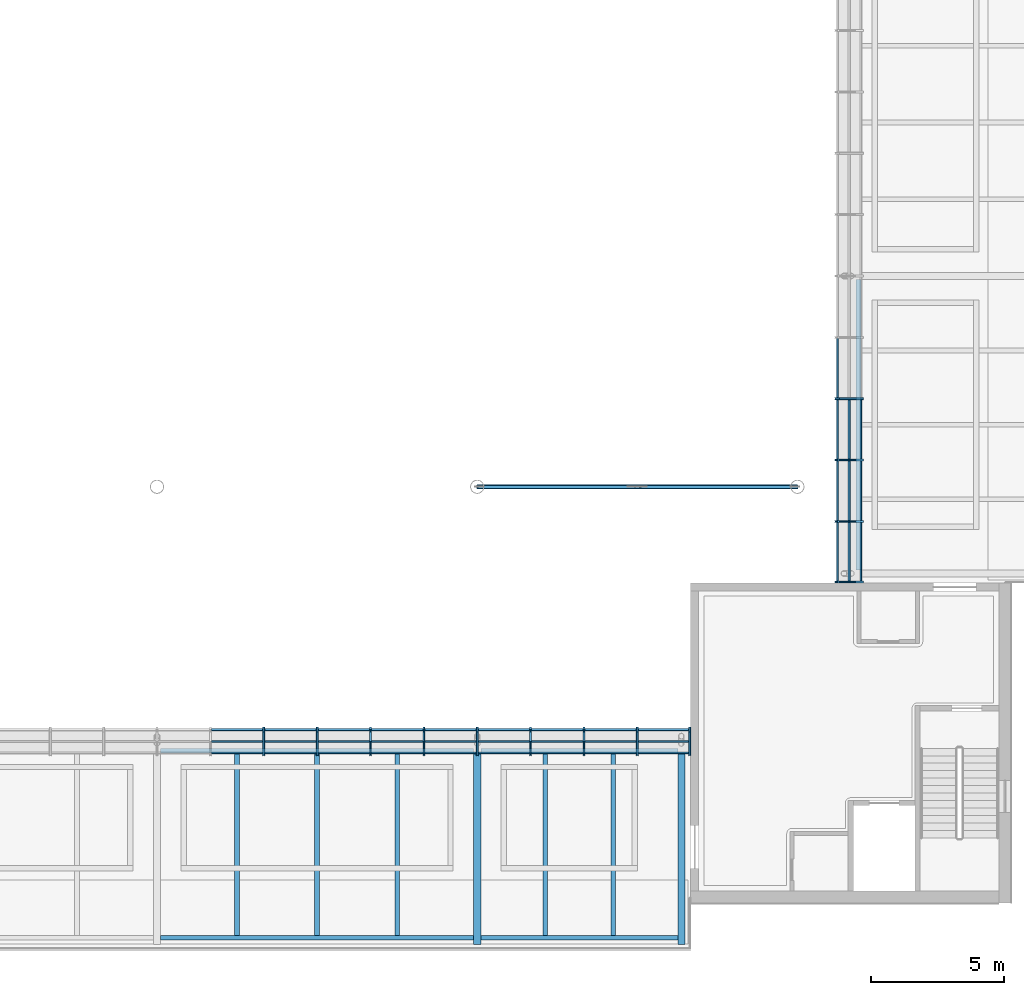
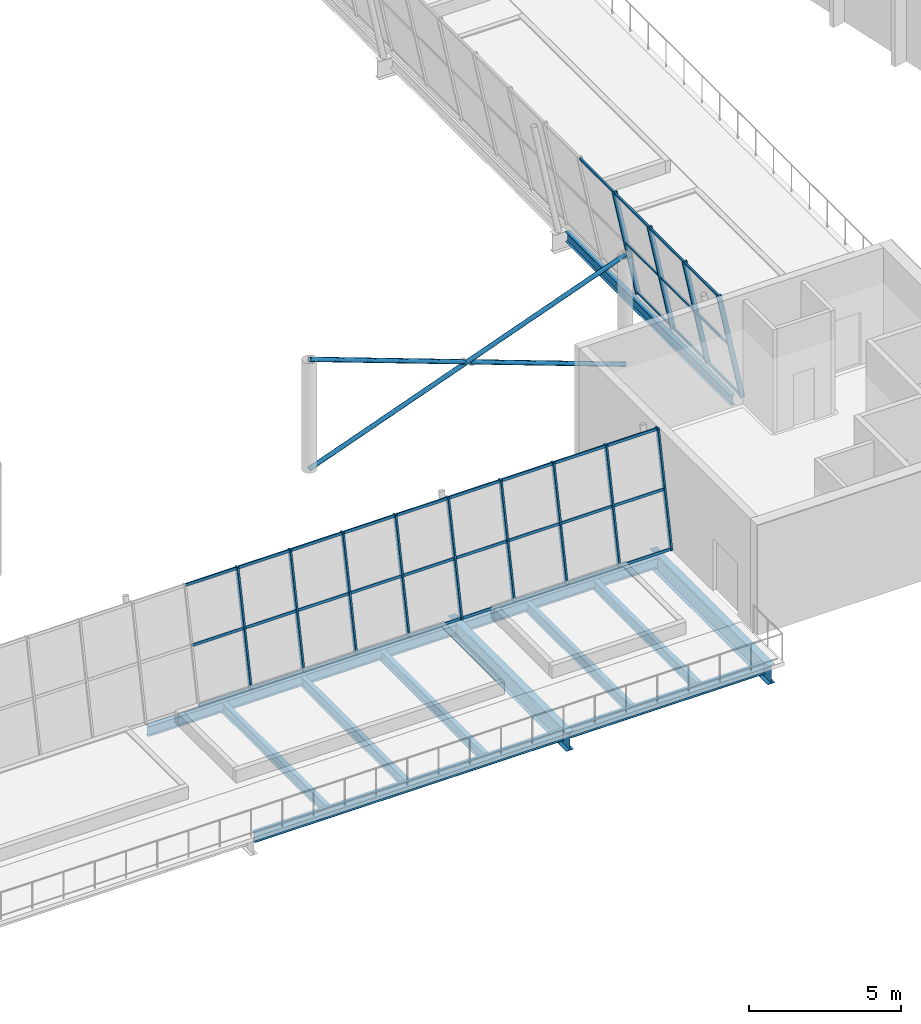
# One storey, part 14 of 58: 53 members, 12 beams, 2 elements without a shape of their own.
"""IFC4 building model written with IfcOpenShell, lengths in metres."""

from ifc_helpers import new_model, si_unit, direction, frame, origin, origin_2d, place, context, subcontext, project, spatial, rectangle, hollow_circle, i_section, extrude, material, layer, layer_set, material_profile, profile_set, type_object, element, aggregate, save


model = new_model("IFC4")

# Units and contexts
model_context = context("Model", 3, precision=1e-05, world=origin(), true_north=direction((0.0, 1.0)))
body_context = subcontext(model_context, "Body", "Model", "MODEL_VIEW")
ifc_project = project(units=[si_unit("LENGTHUNIT", "METRE"), si_unit("AREAUNIT", "SQUARE_METRE"), si_unit("VOLUMEUNIT", "CUBIC_METRE"), si_unit("PLANEANGLEUNIT", "RADIAN"), si_unit("MASSUNIT", "GRAM", prefix="KILO")], contexts=[model_context])

# Site, building, storey
site_placement = place(None, origin())
site = spatial("IfcSite", under=ifc_project, at=site_placement, CompositionType="ELEMENT")
building_placement = place(site_placement, origin())
building = spatial("IfcBuilding", under=site, at=building_placement, Name="Windward Yard Aquatics Centre", CompositionType="ELEMENT")
storey_placement = place(building_placement, frame((0.0, 0.0, 13.800048828125)))
storey = spatial("IfcBuildingStorey", under=building, at=storey_placement, Name="L03", CompositionType="ELEMENT", Elevation=13.800048828125)

# Curtain wall, members
ifc_material_1 = material(Name="Glass and aluminium curtain wall", Category="aluminium")
ifc_layer = layer(ifc_material_1, 0.179931640625)
ifc_layer_set = layer_set([ifc_layer], Name="H curtain wall tier 2 double glazed 6+16+6")
curtain_wall_type = type_object("IfcCurtainWallType", Name="H curtain wall tier 2 double glazed 6+16+6", PredefinedType="NOTDEFINED", material=ifc_layer_set)
curtain_wall_1_placement = place(storey_placement, origin())
curtain_wall_1 = element("IfcCurtainWall", 1, at=curtain_wall_1_placement, inside=storey, type_object=curtain_wall_type, Name="Tier 2 glazing S L03", PredefinedType="NOTDEFINED")
ifc_material_2 = material(Name="Aluminium 6063-T6 anodised", Category="aluminium")
ifc_material_profile_1 = material_profile(ifc_material_2, rectangle(XDim=0.06494140625, YDim=0.179931640625, at=origin_2d()), Name="H CW mullion 65x180")
ifc_profile_set_1 = profile_set([ifc_material_profile_1], Name="Aluminium 6063-T6 anodised")
member_type_1 = type_object("IfcMemberType", Name="H CW mullion 65x180", PredefinedType="MULLION", material=ifc_profile_set_1)
member_1_placement = place(storey_placement, frame((124.002197265625, 31.61376953125, 0.017822265625), z_axis=(0.0, 0.199327811945, 0.979932866775), x_axis=(-1.0, 0.0, 0.0)))
member_1 = element("IfcMember", 2, at=member_1_placement, type_object=member_type_1, Name="G2SB mullion 12", PredefinedType="MULLION", context=body_context, shape_type="SweptSolid", body=[
    extrude(rectangle(XDim=0.06494140625, YDim=0.179931640625, at=origin_2d()), origin(), (0.0, 0.0, 1.0), 4.471923828125),
])
member_2_placement = place(storey_placement, frame((126.001953125, 31.61376953125, 0.017822265625), z_axis=(0.0, 0.199327811945, 0.979932866775), x_axis=(-1.0, 0.0, 0.0)))
member_2 = element("IfcMember", 3, at=member_2_placement, type_object=member_type_1, Name="G2SB mullion 13", PredefinedType="MULLION", context=body_context, shape_type="SweptSolid", body=[
    extrude(rectangle(XDim=0.06494140625, YDim=0.179931640625, at=origin_2d()), origin(), (0.0, 0.0, 1.0), 4.471923828125),
])
member_3_placement = place(storey_placement, frame((128.00146484375, 31.61376953125, 0.017822265625), z_axis=(0.0, 0.199327811945, 0.979932866775), x_axis=(-1.0, 0.0, 0.0)))
member_3 = element("IfcMember", 4, at=member_3_placement, type_object=member_type_1, Name="G2SB mullion 14", PredefinedType="MULLION", context=body_context, shape_type="SweptSolid", body=[
    extrude(rectangle(XDim=0.06494140625, YDim=0.179931640625, at=origin_2d()), origin(), (0.0, 0.0, 1.0), 4.471923828125),
])
member_4_placement = place(storey_placement, frame((130.001220703125, 31.61376953125, 0.017822265625), z_axis=(0.0, 0.199327811945, 0.979932866775), x_axis=(-1.0, 0.0, 0.0)))
member_4 = element("IfcMember", 5, at=member_4_placement, type_object=member_type_1, Name="G2SB mullion 15", PredefinedType="MULLION", context=body_context, shape_type="SweptSolid", body=[
    extrude(rectangle(XDim=0.06494140625, YDim=0.179931640625, at=origin_2d()), origin(), (0.0, 0.0, 1.0), 4.471923828125),
])
member_5_placement = place(storey_placement, frame((132.0009765625, 31.61376953125, 0.017822265625), z_axis=(0.0, 0.199327811945, 0.979932866775), x_axis=(-1.0, 0.0, 0.0)))
member_5 = element("IfcMember", 6, at=member_5_placement, type_object=member_type_1, Name="G2SB mullion 16", PredefinedType="MULLION", context=body_context, shape_type="SweptSolid", body=[
    extrude(rectangle(XDim=0.06494140625, YDim=0.179931640625, at=origin_2d()), origin(), (0.0, 0.0, 1.0), 4.471923828125),
])
member_6_placement = place(storey_placement, frame((134.000732421875, 31.61376953125, 0.017822265625), z_axis=(0.0, 0.199327811945, 0.979932866775), x_axis=(-1.0, 0.0, 0.0)))
member_6 = element("IfcMember", 7, at=member_6_placement, type_object=member_type_1, Name="G2SB mullion 17", PredefinedType="MULLION", context=body_context, shape_type="SweptSolid", body=[
    extrude(rectangle(XDim=0.06494140625, YDim=0.179931640625, at=origin_2d()), origin(), (0.0, 0.0, 1.0), 4.471923828125),
])
member_7_placement = place(storey_placement, frame((136.00048828125, 31.61376953125, 0.017822265625), z_axis=(0.0, 0.199327811945, 0.979932866775), x_axis=(-1.0, 0.0, 0.0)))
member_7 = element("IfcMember", 8, at=member_7_placement, type_object=member_type_1, Name="G2SB mullion 18", PredefinedType="MULLION", context=body_context, shape_type="SweptSolid", body=[
    extrude(rectangle(XDim=0.06494140625, YDim=0.179931640625, at=origin_2d()), origin(), (0.0, 0.0, 1.0), 4.471923828125),
])
member_8_placement = place(storey_placement, frame((138.000244140625, 31.61376953125, 0.017822265625), z_axis=(0.0, 0.199327811945, 0.979932866775), x_axis=(-1.0, 0.0, 0.0)))
member_8 = element("IfcMember", 9, at=member_8_placement, type_object=member_type_1, Name="G2SB mullion 19", PredefinedType="MULLION", context=body_context, shape_type="SweptSolid", body=[
    extrude(rectangle(XDim=0.06494140625, YDim=0.179931640625, at=origin_2d()), origin(), (0.0, 0.0, 1.0), 4.471923828125),
])
member_9_placement = place(storey_placement, frame((139.967529296875, 31.61376953125, 0.017822265625), z_axis=(0.0, 0.199327811945, 0.979932866775), x_axis=(-1.0, 0.0, 0.0)))
member_9 = element("IfcMember", 10, at=member_9_placement, type_object=member_type_1, Name="G2SB mullion 20", PredefinedType="MULLION", context=body_context, shape_type="SweptSolid", body=[
    extrude(rectangle(XDim=0.06494140625, YDim=0.179931640625, at=origin_2d()), origin(), (0.0, 0.0, 1.0), 4.471923828125),
])

curtain_wall_2_placement = place(storey_placement, origin())
curtain_wall_2 = element("IfcCurtainWall", 11, at=curtain_wall_2_placement, inside=storey, type_object=curtain_wall_type, Name="Tier 2 glazing E L03", PredefinedType="NOTDEFINED")
member_10_placement = place(storey_placement, frame((146.38623046875, 38.032470703125, 0.017822265625), z_axis=(-0.199327811945, 0.0, 0.979932866775), x_axis=(0.0, -1.0, 0.0)))
member_10 = element("IfcMember", 12, at=member_10_placement, type_object=member_type_1, Name="G2EA mullion 1", PredefinedType="MULLION", context=body_context, shape_type="SweptSolid", body=[
    extrude(rectangle(XDim=0.06494140625, YDim=0.179931640625, at=origin_2d()), origin(), (0.0, 0.0, 1.0), 4.471923828125),
])
member_11_placement = place(storey_placement, frame((146.38623046875, 40.300048828125, 0.017822265625), z_axis=(-0.199327811945, 0.0, 0.979932866775), x_axis=(0.0, -1.0, 0.0)))
member_11 = element("IfcMember", 13, at=member_11_placement, type_object=member_type_1, Name="G2EA mullion 2", PredefinedType="MULLION", context=body_context, shape_type="SweptSolid", body=[
    extrude(rectangle(XDim=0.06494140625, YDim=0.179931640625, at=origin_2d()), origin(), (0.0, 0.0, 1.0), 4.471923828125),
])
member_12_placement = place(storey_placement, frame((146.38623046875, 42.60009765625, 0.017822265625), z_axis=(-0.199327811945, 0.0, 0.979932866775), x_axis=(0.0, -1.0, 0.0)))
member_12 = element("IfcMember", 14, at=member_12_placement, type_object=member_type_1, Name="G2EA mullion 3", PredefinedType="MULLION", context=body_context, shape_type="SweptSolid", body=[
    extrude(rectangle(XDim=0.06494140625, YDim=0.179931640625, at=origin_2d()), origin(), (0.0, 0.0, 1.0), 4.471923828125),
])
member_13_placement = place(storey_placement, frame((146.38623046875, 44.89990234375, 0.017822265625), z_axis=(-0.199327811945, 0.0, 0.979932866775), x_axis=(0.0, -1.0, 0.0)))
member_13 = element("IfcMember", 15, at=member_13_placement, type_object=member_type_1, Name="G2EA mullion 4", PredefinedType="MULLION", context=body_context, shape_type="SweptSolid", body=[
    extrude(rectangle(XDim=0.06494140625, YDim=0.179931640625, at=origin_2d()), origin(), (0.0, 0.0, 1.0), 4.471923828125),
])

# Member
ifc_material_profile_2 = material_profile(ifc_material_2, rectangle(XDim=0.06494140625, YDim=0.10009765625, at=origin_2d()), Name="H CW transom 65x100")
ifc_profile_set_2 = profile_set([ifc_material_profile_2], Name="Aluminium 6063-T6 anodised")
member_type_2 = type_object("IfcMemberType", Name="H CW transom 65x100", PredefinedType="USERDEFINED", material=ifc_profile_set_2)
member_14_placement = place(storey_placement, frame((122.034912109375, 31.621337890625, 0.055419921875), z_axis=(1.0, 0.0, 0.0), x_axis=(0.0, -0.979924704642, 0.199367934315)))
member_14 = element("IfcMember", 16, at=member_14_placement, type_object=member_type_2, Name="G2SB transom 11.1", ObjectType="TRANSOM", PredefinedType="USERDEFINED", context=body_context, shape_type="SweptSolid", body=[
    extrude(rectangle(XDim=0.06494140625, YDim=0.10009765625, at=origin_2d()), origin(), (0.0, 0.0, 1.0), 1.934814453125),
])

member_15_placement = place(storey_placement, frame((122.034912109375, 32.0576171875, 2.199951171875), z_axis=(1.0, 0.0, 0.0), x_axis=(0.0, -0.979924704642, 0.199367934315)))
member_15 = element("IfcMember", 17, at=member_15_placement, type_object=member_type_2, Name="G2SB transom 11.2", ObjectType="TRANSOM", PredefinedType="USERDEFINED", context=body_context, shape_type="SweptSolid", body=[
    extrude(rectangle(XDim=0.06494140625, YDim=0.10009765625, at=origin_2d()), origin(), (0.0, 0.0, 1.0), 1.934814453125),
])

member_16_placement = place(storey_placement, frame((122.034912109375, 32.4951171875, 4.35107421875), z_axis=(1.0, 0.0, 0.0), x_axis=(0.0, -0.979924704642, 0.199367934315)))
member_16 = element("IfcMember", 18, at=member_16_placement, type_object=member_type_2, Name="G2SB transom 11.3", ObjectType="TRANSOM", PredefinedType="USERDEFINED", context=body_context, shape_type="SweptSolid", body=[
    extrude(rectangle(XDim=0.06494140625, YDim=0.10009765625, at=origin_2d()), origin(), (0.0, 0.0, 1.0), 1.934814453125),
])

member_17_placement = place(storey_placement, frame((124.03466796875, 31.621337890625, 0.055419921875), z_axis=(1.0, 0.0, 0.0), x_axis=(0.0, -0.979924704642, 0.199367934315)))
member_17 = element("IfcMember", 19, at=member_17_placement, type_object=member_type_2, Name="G2SB transom 12.1", ObjectType="TRANSOM", PredefinedType="USERDEFINED", context=body_context, shape_type="SweptSolid", body=[
    extrude(rectangle(XDim=0.06494140625, YDim=0.10009765625, at=origin_2d()), origin(), (0.0, 0.0, 1.0), 1.9345703125),
])

member_18_placement = place(storey_placement, frame((124.03466796875, 32.0576171875, 2.199951171875), z_axis=(1.0, 0.0, 0.0), x_axis=(0.0, -0.979924704642, 0.199367934315)))
member_18 = element("IfcMember", 20, at=member_18_placement, type_object=member_type_2, Name="G2SB transom 12.2", ObjectType="TRANSOM", PredefinedType="USERDEFINED", context=body_context, shape_type="SweptSolid", body=[
    extrude(rectangle(XDim=0.06494140625, YDim=0.10009765625, at=origin_2d()), origin(), (0.0, 0.0, 1.0), 1.9345703125),
])

member_19_placement = place(storey_placement, frame((124.03466796875, 32.4951171875, 4.35107421875), z_axis=(1.0, 0.0, 0.0), x_axis=(0.0, -0.979924704642, 0.199367934315)))
member_19 = element("IfcMember", 21, at=member_19_placement, type_object=member_type_2, Name="G2SB transom 12.3", ObjectType="TRANSOM", PredefinedType="USERDEFINED", context=body_context, shape_type="SweptSolid", body=[
    extrude(rectangle(XDim=0.06494140625, YDim=0.10009765625, at=origin_2d()), origin(), (0.0, 0.0, 1.0), 1.9345703125),
])

member_20_placement = place(storey_placement, frame((126.034423828125, 31.621337890625, 0.055419921875), z_axis=(1.0, 0.0, 0.0), x_axis=(0.0, -0.979924704642, 0.199367934315)))
member_20 = element("IfcMember", 22, at=member_20_placement, type_object=member_type_2, Name="G2SB transom 13.1", ObjectType="TRANSOM", PredefinedType="USERDEFINED", context=body_context, shape_type="SweptSolid", body=[
    extrude(rectangle(XDim=0.06494140625, YDim=0.10009765625, at=origin_2d()), origin(), (0.0, 0.0, 1.0), 1.9345703125),
])

member_21_placement = place(storey_placement, frame((126.034423828125, 32.0576171875, 2.199951171875), z_axis=(1.0, 0.0, 0.0), x_axis=(0.0, -0.979924704642, 0.199367934315)))
member_21 = element("IfcMember", 23, at=member_21_placement, type_object=member_type_2, Name="G2SB transom 13.2", ObjectType="TRANSOM", PredefinedType="USERDEFINED", context=body_context, shape_type="SweptSolid", body=[
    extrude(rectangle(XDim=0.06494140625, YDim=0.10009765625, at=origin_2d()), origin(), (0.0, 0.0, 1.0), 1.9345703125),
])

member_22_placement = place(storey_placement, frame((126.034423828125, 32.4951171875, 4.35107421875), z_axis=(1.0, 0.0, 0.0), x_axis=(0.0, -0.979924704642, 0.199367934315)))
member_22 = element("IfcMember", 24, at=member_22_placement, type_object=member_type_2, Name="G2SB transom 13.3", ObjectType="TRANSOM", PredefinedType="USERDEFINED", context=body_context, shape_type="SweptSolid", body=[
    extrude(rectangle(XDim=0.06494140625, YDim=0.10009765625, at=origin_2d()), origin(), (0.0, 0.0, 1.0), 1.9345703125),
])

member_23_placement = place(storey_placement, frame((128.0341796875, 31.621337890625, 0.055419921875), z_axis=(1.0, 0.0, 0.0), x_axis=(0.0, -0.979924704642, 0.199367934315)))
member_23 = element("IfcMember", 25, at=member_23_placement, type_object=member_type_2, Name="G2SB transom 14.1", ObjectType="TRANSOM", PredefinedType="USERDEFINED", context=body_context, shape_type="SweptSolid", body=[
    extrude(rectangle(XDim=0.06494140625, YDim=0.10009765625, at=origin_2d()), origin(), (0.0, 0.0, 1.0), 1.9345703125),
])

member_24_placement = place(storey_placement, frame((128.0341796875, 32.0576171875, 2.199951171875), z_axis=(1.0, 0.0, 0.0), x_axis=(0.0, -0.979924704642, 0.199367934315)))
member_24 = element("IfcMember", 26, at=member_24_placement, type_object=member_type_2, Name="G2SB transom 14.2", ObjectType="TRANSOM", PredefinedType="USERDEFINED", context=body_context, shape_type="SweptSolid", body=[
    extrude(rectangle(XDim=0.06494140625, YDim=0.10009765625, at=origin_2d()), origin(), (0.0, 0.0, 1.0), 1.9345703125),
])

member_25_placement = place(storey_placement, frame((128.0341796875, 32.4951171875, 4.35107421875), z_axis=(1.0, 0.0, 0.0), x_axis=(0.0, -0.979924704642, 0.199367934315)))
member_25 = element("IfcMember", 27, at=member_25_placement, type_object=member_type_2, Name="G2SB transom 14.3", ObjectType="TRANSOM", PredefinedType="USERDEFINED", context=body_context, shape_type="SweptSolid", body=[
    extrude(rectangle(XDim=0.06494140625, YDim=0.10009765625, at=origin_2d()), origin(), (0.0, 0.0, 1.0), 1.9345703125),
])

member_26_placement = place(storey_placement, frame((130.033935546875, 31.621337890625, 0.055419921875), z_axis=(1.0, 0.0, 0.0), x_axis=(0.0, -0.979924704642, 0.199367934315)))
member_26 = element("IfcMember", 28, at=member_26_placement, type_object=member_type_2, Name="G2SB transom 15.1", ObjectType="TRANSOM", PredefinedType="USERDEFINED", context=body_context, shape_type="SweptSolid", body=[
    extrude(rectangle(XDim=0.06494140625, YDim=0.10009765625, at=origin_2d()), origin(), (0.0, 0.0, 1.0), 1.9345703125),
])

member_27_placement = place(storey_placement, frame((130.033935546875, 32.0576171875, 2.199951171875), z_axis=(1.0, 0.0, 0.0), x_axis=(0.0, -0.979924704642, 0.199367934315)))
member_27 = element("IfcMember", 29, at=member_27_placement, type_object=member_type_2, Name="G2SB transom 15.2", ObjectType="TRANSOM", PredefinedType="USERDEFINED", context=body_context, shape_type="SweptSolid", body=[
    extrude(rectangle(XDim=0.06494140625, YDim=0.10009765625, at=origin_2d()), origin(), (0.0, 0.0, 1.0), 1.9345703125),
])

member_28_placement = place(storey_placement, frame((130.033935546875, 32.4951171875, 4.35107421875), z_axis=(1.0, 0.0, 0.0), x_axis=(0.0, -0.979924704642, 0.199367934315)))
member_28 = element("IfcMember", 30, at=member_28_placement, type_object=member_type_2, Name="G2SB transom 15.3", ObjectType="TRANSOM", PredefinedType="USERDEFINED", context=body_context, shape_type="SweptSolid", body=[
    extrude(rectangle(XDim=0.06494140625, YDim=0.10009765625, at=origin_2d()), origin(), (0.0, 0.0, 1.0), 1.9345703125),
])

member_29_placement = place(storey_placement, frame((132.033447265625, 31.621337890625, 0.055419921875), z_axis=(1.0, 0.0, 0.0), x_axis=(0.0, -0.979924704642, 0.199367934315)))
member_29 = element("IfcMember", 31, at=member_29_placement, type_object=member_type_2, Name="G2SB transom 16.1", ObjectType="TRANSOM", PredefinedType="USERDEFINED", context=body_context, shape_type="SweptSolid", body=[
    extrude(rectangle(XDim=0.06494140625, YDim=0.10009765625, at=origin_2d()), origin(), (0.0, 0.0, 1.0), 1.934814453125),
])

member_30_placement = place(storey_placement, frame((132.033447265625, 32.0576171875, 2.199951171875), z_axis=(1.0, 0.0, 0.0), x_axis=(0.0, -0.979924704642, 0.199367934315)))
member_30 = element("IfcMember", 32, at=member_30_placement, type_object=member_type_2, Name="G2SB transom 16.2", ObjectType="TRANSOM", PredefinedType="USERDEFINED", context=body_context, shape_type="SweptSolid", body=[
    extrude(rectangle(XDim=0.06494140625, YDim=0.10009765625, at=origin_2d()), origin(), (0.0, 0.0, 1.0), 1.934814453125),
])

member_31_placement = place(storey_placement, frame((132.033447265625, 32.4951171875, 4.35107421875), z_axis=(1.0, 0.0, 0.0), x_axis=(0.0, -0.979924704642, 0.199367934315)))
member_31 = element("IfcMember", 33, at=member_31_placement, type_object=member_type_2, Name="G2SB transom 16.3", ObjectType="TRANSOM", PredefinedType="USERDEFINED", context=body_context, shape_type="SweptSolid", body=[
    extrude(rectangle(XDim=0.06494140625, YDim=0.10009765625, at=origin_2d()), origin(), (0.0, 0.0, 1.0), 1.934814453125),
])

member_32_placement = place(storey_placement, frame((134.033203125, 31.621337890625, 0.055419921875), z_axis=(1.0, 0.0, 0.0), x_axis=(0.0, -0.979924704642, 0.199367934315)))
member_32 = element("IfcMember", 34, at=member_32_placement, type_object=member_type_2, Name="G2SB transom 17.1", ObjectType="TRANSOM", PredefinedType="USERDEFINED", context=body_context, shape_type="SweptSolid", body=[
    extrude(rectangle(XDim=0.06494140625, YDim=0.10009765625, at=origin_2d()), origin(), (0.0, 0.0, 1.0), 1.934814453125),
])

member_33_placement = place(storey_placement, frame((134.033203125, 32.0576171875, 2.199951171875), z_axis=(1.0, 0.0, 0.0), x_axis=(0.0, -0.979924704642, 0.199367934315)))
member_33 = element("IfcMember", 35, at=member_33_placement, type_object=member_type_2, Name="G2SB transom 17.2", ObjectType="TRANSOM", PredefinedType="USERDEFINED", context=body_context, shape_type="SweptSolid", body=[
    extrude(rectangle(XDim=0.06494140625, YDim=0.10009765625, at=origin_2d()), origin(), (0.0, 0.0, 1.0), 1.934814453125),
])

member_34_placement = place(storey_placement, frame((134.033203125, 32.4951171875, 4.35107421875), z_axis=(1.0, 0.0, 0.0), x_axis=(0.0, -0.979924704642, 0.199367934315)))
member_34 = element("IfcMember", 36, at=member_34_placement, type_object=member_type_2, Name="G2SB transom 17.3", ObjectType="TRANSOM", PredefinedType="USERDEFINED", context=body_context, shape_type="SweptSolid", body=[
    extrude(rectangle(XDim=0.06494140625, YDim=0.10009765625, at=origin_2d()), origin(), (0.0, 0.0, 1.0), 1.934814453125),
])

member_35_placement = place(storey_placement, frame((136.032958984375, 31.621337890625, 0.055419921875), z_axis=(1.0, 0.0, 0.0), x_axis=(0.0, -0.979924704642, 0.199367934315)))
member_35 = element("IfcMember", 37, at=member_35_placement, type_object=member_type_2, Name="G2SB transom 18.1", ObjectType="TRANSOM", PredefinedType="USERDEFINED", context=body_context, shape_type="SweptSolid", body=[
    extrude(rectangle(XDim=0.06494140625, YDim=0.10009765625, at=origin_2d()), origin(), (0.0, 0.0, 1.0), 1.934814453125),
])

member_36_placement = place(storey_placement, frame((136.032958984375, 32.0576171875, 2.199951171875), z_axis=(1.0, 0.0, 0.0), x_axis=(0.0, -0.979924704642, 0.199367934315)))
member_36 = element("IfcMember", 38, at=member_36_placement, type_object=member_type_2, Name="G2SB transom 18.2", ObjectType="TRANSOM", PredefinedType="USERDEFINED", context=body_context, shape_type="SweptSolid", body=[
    extrude(rectangle(XDim=0.06494140625, YDim=0.10009765625, at=origin_2d()), origin(), (0.0, 0.0, 1.0), 1.934814453125),
])

member_37_placement = place(storey_placement, frame((136.032958984375, 32.4951171875, 4.35107421875), z_axis=(1.0, 0.0, 0.0), x_axis=(0.0, -0.979924704642, 0.199367934315)))
member_37 = element("IfcMember", 39, at=member_37_placement, type_object=member_type_2, Name="G2SB transom 18.3", ObjectType="TRANSOM", PredefinedType="USERDEFINED", context=body_context, shape_type="SweptSolid", body=[
    extrude(rectangle(XDim=0.06494140625, YDim=0.10009765625, at=origin_2d()), origin(), (0.0, 0.0, 1.0), 1.934814453125),
])

member_38_placement = place(storey_placement, frame((138.03271484375, 31.621337890625, 0.055419921875), z_axis=(1.0, 0.0, 0.0), x_axis=(0.0, -0.979924704642, 0.199367934315)))
member_38 = element("IfcMember", 40, at=member_38_placement, type_object=member_type_2, Name="G2SB transom 19.1", ObjectType="TRANSOM", PredefinedType="USERDEFINED", context=body_context, shape_type="SweptSolid", body=[
    extrude(rectangle(XDim=0.06494140625, YDim=0.10009765625, at=origin_2d()), origin(), (0.0, 0.0, 1.0), 1.90234375),
])

member_39_placement = place(storey_placement, frame((138.03271484375, 32.0576171875, 2.199951171875), z_axis=(1.0, 0.0, 0.0), x_axis=(0.0, -0.979924704642, 0.199367934315)))
member_39 = element("IfcMember", 41, at=member_39_placement, type_object=member_type_2, Name="G2SB transom 19.2", ObjectType="TRANSOM", PredefinedType="USERDEFINED", context=body_context, shape_type="SweptSolid", body=[
    extrude(rectangle(XDim=0.06494140625, YDim=0.10009765625, at=origin_2d()), origin(), (0.0, 0.0, 1.0), 1.90234375),
])

member_40_placement = place(storey_placement, frame((138.03271484375, 32.4951171875, 4.35107421875), z_axis=(1.0, 0.0, 0.0), x_axis=(0.0, -0.979924704642, 0.199367934315)))
member_40 = element("IfcMember", 42, at=member_40_placement, type_object=member_type_2, Name="G2SB transom 19.3", ObjectType="TRANSOM", PredefinedType="USERDEFINED", context=body_context, shape_type="SweptSolid", body=[
    extrude(rectangle(XDim=0.06494140625, YDim=0.10009765625, at=origin_2d()), origin(), (0.0, 0.0, 1.0), 1.90234375),
])

aggregate(curtain_wall_1, [member_1, member_2, member_3, member_4, member_5, member_6, member_7, member_8, member_9, member_14, member_15, member_16, member_17, member_18, member_19, member_20, member_21, member_22, member_23, member_24, member_25, member_26, member_27, member_28, member_29, member_30, member_31, member_32, member_33, member_34, member_35, member_36, member_37, member_38, member_39, member_40])

member_41_placement = place(storey_placement, frame((146.378662109375, 38.06494140625, 0.055419921875), z_axis=(0.0, 1.0, 0.0), x_axis=(0.979924704642, 0.0, 0.199367934315)))
member_41 = element("IfcMember", 43, at=member_41_placement, type_object=member_type_2, Name="G2EA transom 1.1", ObjectType="TRANSOM", PredefinedType="USERDEFINED", context=body_context, shape_type="SweptSolid", body=[
    extrude(rectangle(XDim=0.06494140625, YDim=0.10009765625, at=origin_2d()), origin(), (0.0, 0.0, 1.0), 2.20263671875),
])

member_42_placement = place(storey_placement, frame((145.9423828125, 38.06494140625, 2.199951171875), z_axis=(0.0, 1.0, 0.0), x_axis=(0.979924704642, 0.0, 0.199367934315)))
member_42 = element("IfcMember", 44, at=member_42_placement, type_object=member_type_2, Name="G2EA transom 1.2", ObjectType="TRANSOM", PredefinedType="USERDEFINED", context=body_context, shape_type="SweptSolid", body=[
    extrude(rectangle(XDim=0.06494140625, YDim=0.10009765625, at=origin_2d()), origin(), (0.0, 0.0, 1.0), 2.20263671875),
])

member_43_placement = place(storey_placement, frame((145.5048828125, 38.06494140625, 4.35107421875), z_axis=(0.0, 1.0, 0.0), x_axis=(0.979924704642, 0.0, 0.199367934315)))
member_43 = element("IfcMember", 45, at=member_43_placement, type_object=member_type_2, Name="G2EA transom 1.3", ObjectType="TRANSOM", PredefinedType="USERDEFINED", context=body_context, shape_type="SweptSolid", body=[
    extrude(rectangle(XDim=0.06494140625, YDim=0.10009765625, at=origin_2d()), origin(), (0.0, 0.0, 1.0), 2.20263671875),
])

member_44_placement = place(storey_placement, frame((146.378662109375, 40.33251953125, 0.055419921875), z_axis=(0.0, 1.0, 0.0), x_axis=(0.979924704642, 0.0, 0.199367934315)))
member_44 = element("IfcMember", 46, at=member_44_placement, type_object=member_type_2, Name="G2EA transom 2.1", ObjectType="TRANSOM", PredefinedType="USERDEFINED", context=body_context, shape_type="SweptSolid", body=[
    extrude(rectangle(XDim=0.06494140625, YDim=0.10009765625, at=origin_2d()), origin(), (0.0, 0.0, 1.0), 2.23486328125),
])

member_45_placement = place(storey_placement, frame((145.9423828125, 40.33251953125, 2.199951171875), z_axis=(0.0, 1.0, 0.0), x_axis=(0.979924704642, 0.0, 0.199367934315)))
member_45 = element("IfcMember", 47, at=member_45_placement, type_object=member_type_2, Name="G2EA transom 2.2", ObjectType="TRANSOM", PredefinedType="USERDEFINED", context=body_context, shape_type="SweptSolid", body=[
    extrude(rectangle(XDim=0.06494140625, YDim=0.10009765625, at=origin_2d()), origin(), (0.0, 0.0, 1.0), 2.23486328125),
])

member_46_placement = place(storey_placement, frame((145.5048828125, 40.33251953125, 4.35107421875), z_axis=(0.0, 1.0, 0.0), x_axis=(0.979924704642, 0.0, 0.199367934315)))
member_46 = element("IfcMember", 48, at=member_46_placement, type_object=member_type_2, Name="G2EA transom 2.3", ObjectType="TRANSOM", PredefinedType="USERDEFINED", context=body_context, shape_type="SweptSolid", body=[
    extrude(rectangle(XDim=0.06494140625, YDim=0.10009765625, at=origin_2d()), origin(), (0.0, 0.0, 1.0), 2.23486328125),
])

member_47_placement = place(storey_placement, frame((146.378662109375, 42.632568359375, 0.055419921875), z_axis=(0.0, 1.0, 0.0), x_axis=(0.979924704642, 0.0, 0.199367934315)))
member_47 = element("IfcMember", 49, at=member_47_placement, type_object=member_type_2, Name="G2EA transom 3.1", ObjectType="TRANSOM", PredefinedType="USERDEFINED", context=body_context, shape_type="SweptSolid", body=[
    extrude(rectangle(XDim=0.06494140625, YDim=0.10009765625, at=origin_2d()), origin(), (0.0, 0.0, 1.0), 2.23486328125),
])

member_48_placement = place(storey_placement, frame((145.9423828125, 42.632568359375, 2.199951171875), z_axis=(0.0, 1.0, 0.0), x_axis=(0.979924704642, 0.0, 0.199367934315)))
member_48 = element("IfcMember", 50, at=member_48_placement, type_object=member_type_2, Name="G2EA transom 3.2", ObjectType="TRANSOM", PredefinedType="USERDEFINED", context=body_context, shape_type="SweptSolid", body=[
    extrude(rectangle(XDim=0.06494140625, YDim=0.10009765625, at=origin_2d()), origin(), (0.0, 0.0, 1.0), 2.23486328125),
])

member_49_placement = place(storey_placement, frame((145.5048828125, 42.632568359375, 4.35107421875), z_axis=(0.0, 1.0, 0.0), x_axis=(0.979924704642, 0.0, 0.199367934315)))
member_49 = element("IfcMember", 51, at=member_49_placement, type_object=member_type_2, Name="G2EA transom 3.3", ObjectType="TRANSOM", PredefinedType="USERDEFINED", context=body_context, shape_type="SweptSolid", body=[
    extrude(rectangle(XDim=0.06494140625, YDim=0.10009765625, at=origin_2d()), origin(), (0.0, 0.0, 1.0), 2.23486328125),
])

member_50_placement = place(storey_placement, frame((145.5048828125, 44.9326171875, 4.35107421875), z_axis=(0.0, 1.0, 0.0), x_axis=(0.979924704642, 0.0, 0.199367934315)))
member_50 = element("IfcMember", 52, at=member_50_placement, type_object=member_type_2, Name="G2EA transom 4.3", ObjectType="TRANSOM", PredefinedType="USERDEFINED", context=body_context, shape_type="SweptSolid", body=[
    extrude(rectangle(XDim=0.06494140625, YDim=0.10009765625, at=origin_2d()), origin(), (0.0, 0.0, 1.0), 2.23486328125),
])

aggregate(curtain_wall_2, [member_10, member_11, member_12, member_13, member_41, member_42, member_43, member_44, member_45, member_46, member_47, member_48, member_49, member_50])

# Members
ifc_material_3 = material(Name="Steel ASTM A500 Gr C", Category="steel")
ifc_material_profile_3 = material_profile(ifc_material_3, hollow_circle(Radius=0.084228515625, WallThickness=0.010986328125, at=origin_2d()), Name="HSS168.3X11")
ifc_profile_set_3 = profile_set([ifc_material_profile_3], Name="Steel ASTM A500 Gr C")
member_type_3 = type_object("IfcMemberType", Name="H column brace HSS168.3X11", PredefinedType="BRACE", material=ifc_profile_set_3)
member_51_placement = place(storey_placement, frame((132.0, 41.60009765625, 0.0), z_axis=(0.938878785405, 0.0, 0.344247914033), x_axis=(0.0, 1.0, 0.0)))
element("IfcMember", 53, at=member_51_placement, inside=storey, type_object=member_type_3, Name="H.VB.S7.L03.A", PredefinedType="BRACE", context=body_context, shape_type="SweptSolid", body=[
    extrude(hollow_circle(Radius=0.084228515625, WallThickness=0.010986328125, at=origin_2d()), origin(), (0.0, 0.0, 1.0), 12.78125),
])
for number, where, z_axis, x_axis, name in (
    (54, (132.0, 41.60009765625, 4.39990234375), (0.938872965334, 0.0, -0.344263786891), (0.0, 1.0, 0.0), "H.VB.S7.L03.B1"),
    (55, (138.103515625, 41.60009765625, 2.162109375), (0.938872965334, 0.0, -0.344263786891), (0.0, 1.0, 0.0), "H.VB.S7.L03.B2"),
):
    element("IfcMember", number, at=place(storey_placement, frame(where, z_axis=z_axis, x_axis=x_axis)), inside=storey, type_object=member_type_3, Name=name, PredefinedType="BRACE", context=body_context, shape_type="SweptSolid", body=[
        extrude(hollow_circle(Radius=0.084228515625, WallThickness=0.010986328125, at=origin_2d()), origin(), (0.0, 0.0, 1.0), 6.2802734375),
    ])

# Beams
ifc_material_4 = material(Name="Steel ASTM A992 Gr 50", Category="steel")
ifc_material_profile_4 = material_profile(ifc_material_4, i_section(OverallWidth=0.177978515625, OverallDepth=0.406005859375, WebThickness=0.0078125, FlangeThickness=0.0126953125, at=origin_2d()), Name="W410X60")
ifc_profile_set_4 = profile_set([ifc_material_profile_4], Name="Steel ASTM A992 Gr 50")
beam_type_1 = type_object("IfcBeamType", Name="H terrace secondary beam W410X60", PredefinedType="BEAM", material=ifc_profile_set_4)
for number, where, z_axis, x_axis, name in (
    (56, (120.133544921875, 24.698974609375, -0.35302734375), (1.0, 0.0, 0.0), (0.0, 1.0, 0.0), "H.T1E.S6.O"),
    (57, (120.133544921875, 31.709716796875, -0.35302734375), (1.0, 0.0, 0.0), (0.0, 1.0, 0.0), "H.T1E.S6.I"),
):
    element("IfcBeam", number, at=place(storey_placement, frame(where, z_axis=z_axis, x_axis=x_axis)), inside=storey, type_object=beam_type_1, Name=name, PredefinedType="BEAM", context=body_context, shape_type="SweptSolid", body=[
        extrude(i_section(OverallWidth=0.177978515625, OverallDepth=0.406005859375, WebThickness=0.0078125, FlangeThickness=0.0126953125, at=origin_2d()), origin(), (0.0, 0.0, 1.0), 11.73291015625),
    ])
for number, where, z_axis, x_axis, name in (
    (58, (123.0, 24.7880859375, -0.35302734375), (0.0, 1.0, 0.0), (-1.0, 0.0, 0.0), "H.T1S.S6.1"),
    (59, (126.0, 24.7880859375, -0.35302734375), (0.0, 1.0, 0.0), (-1.0, 0.0, 0.0), "H.T1S.S6.2"),
    (60, (129.0, 24.7880859375, -0.35302734375), (0.0, 1.0, 0.0), (-1.0, 0.0, 0.0), "H.T1S.S6.3"),
):
    element("IfcBeam", number, at=place(storey_placement, frame(where, z_axis=z_axis, x_axis=x_axis)), inside=storey, type_object=beam_type_1, Name=name, PredefinedType="BEAM", context=body_context, shape_type="SweptSolid", body=[
        extrude(i_section(OverallWidth=0.177978515625, OverallDepth=0.406005859375, WebThickness=0.0078125, FlangeThickness=0.0126953125, at=origin_2d()), origin(), (0.0, 0.0, 1.0), 6.83251953125),
    ])
for number, where, z_axis, x_axis, name in (
    (61, (132.133544921875, 24.698974609375, -0.35302734375), (1.0, 0.0, 0.0), (0.0, 1.0, 0.0), "H.T1E.S7.O"),
    (62, (132.133544921875, 31.709716796875, -0.35302734375), (1.0, 0.0, 0.0), (0.0, 1.0, 0.0), "H.T1E.S7.I"),
):
    element("IfcBeam", number, at=place(storey_placement, frame(where, z_axis=z_axis, x_axis=x_axis)), inside=storey, type_object=beam_type_1, Name=name, PredefinedType="BEAM", context=body_context, shape_type="SweptSolid", body=[
        extrude(i_section(OverallWidth=0.177978515625, OverallDepth=0.406005859375, WebThickness=0.0078125, FlangeThickness=0.0126953125, at=origin_2d()), origin(), (0.0, 0.0, 1.0), 7.383056640625),
    ])
for number, where, z_axis, x_axis, name in (
    (63, (134.550048828125, 24.7880859375, -0.35302734375), (0.0, 1.0, 0.0), (-1.0, 0.0, 0.0), "H.T1S.S7.1"),
    (64, (137.10009765625, 24.7880859375, -0.35302734375), (0.0, 1.0, 0.0), (-1.0, 0.0, 0.0), "H.T1S.S7.2"),
):
    element("IfcBeam", number, at=place(storey_placement, frame(where, z_axis=z_axis, x_axis=x_axis)), inside=storey, type_object=beam_type_1, Name=name, PredefinedType="BEAM", context=body_context, shape_type="SweptSolid", body=[
        extrude(i_section(OverallWidth=0.177978515625, OverallDepth=0.406005859375, WebThickness=0.0078125, FlangeThickness=0.0126953125, at=origin_2d()), origin(), (0.0, 0.0, 1.0), 6.83251953125),
    ])
beam_placement = place(storey_placement, frame((146.290283203125, 38.4833984375, -0.35302734375), z_axis=(0.0, 1.0, 0.0), x_axis=(-1.0, 0.0, 0.0)))
element("IfcBeam", 65, at=beam_placement, inside=storey, type_object=beam_type_1, Name="H.T1E.E1.I", PredefinedType="BEAM", context=body_context, shape_type="SweptSolid", body=[
    extrude(i_section(OverallWidth=0.177978515625, OverallDepth=0.406005859375, WebThickness=0.0078125, FlangeThickness=0.0126953125, at=origin_2d()), origin(), (0.0, 0.0, 1.0), 10.883056640625),
])
ifc_material_profile_5 = material_profile(ifc_material_4, i_section(OverallWidth=0.26708984375, OverallDepth=0.75390625, WebThickness=0.01318359375, FlangeThickness=0.01708984375, at=origin_2d()), Name="W760X147")
ifc_profile_set_5 = profile_set([ifc_material_profile_5], Name="Steel ASTM A992 Gr 50")
beam_type_2 = type_object("IfcBeamType", Name="H terrace transfer girder W760X147", PredefinedType="BEAM", material=ifc_profile_set_5)
for number, where, z_axis, x_axis, name in (
    (66, (132.0, 24.448974609375, -0.527099609375), (0.0, 1.0, 0.0), (-1.0, 0.0, 0.0), "H.T1B.S7"),
    (67, (139.64990234375, 24.448974609375, -0.527099609375), (0.0, 1.0, 0.0), (-1.0, 0.0, 0.0), "H.T1B.S8"),
):
    element("IfcBeam", number, at=place(storey_placement, frame(where, z_axis=z_axis, x_axis=x_axis)), inside=storey, type_object=beam_type_2, Name=name, PredefinedType="BEAM", context=body_context, shape_type="SweptSolid", body=[
        extrude(i_section(OverallWidth=0.26708984375, OverallDepth=0.75390625, WebThickness=0.01318359375, FlangeThickness=0.01708984375, at=origin_2d()), origin(), (0.0, 0.0, 1.0), 7.766357421875),
    ])

save(model, "model.ifc")
